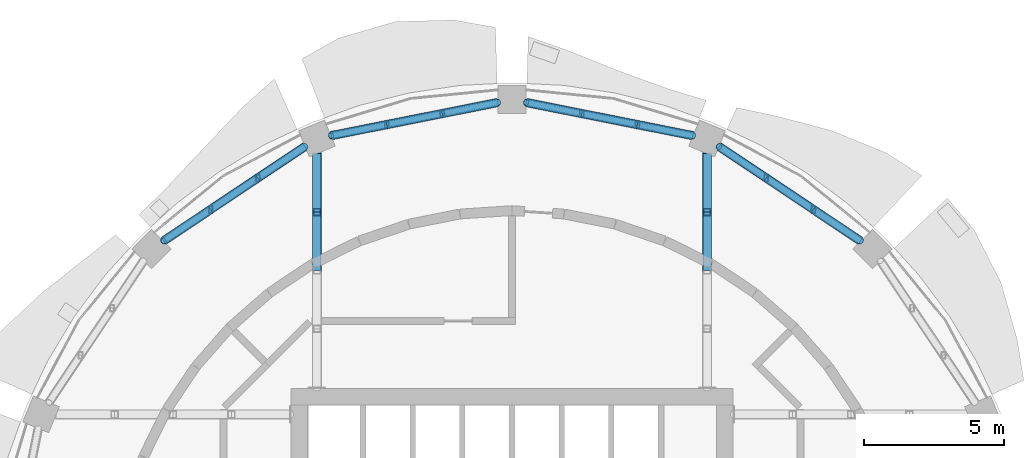
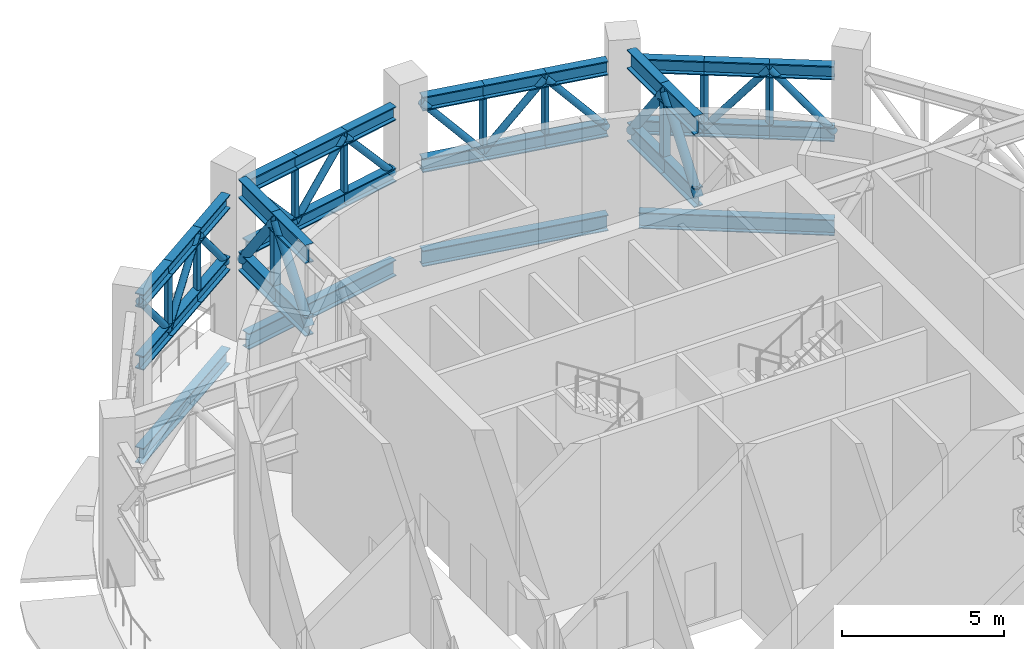
# One storey, part 6 of 14: 58 members, 4 beams.
"""IFC4 building model written with IfcOpenShell, lengths in metres."""

import ifcopenshell
import ifcopenshell.guid

model = None  # the IFC model being written
_history = None  # IfcOwnerHistory: only IFC2X3 demands one
_inside = {}  # id of a spatial element -> (the spatial element, [elements in it])
_under = {}  # id of a project, library or spatial element -> (it, [spatial elements below it])
_declared = {}  # id of a project -> (the project, [libraries it declares])
_typed = {}  # id of a type object -> (the type object, [elements of that type])
_made_of = {}  # id of a material, layer set ... -> (it, [elements and type objects made of it])


def new_model(schema):
    """Start an empty IFC model of exactly this schema.

    Asked for "IFC4X3", IfcOpenShell would pick the latest addendum, in which some entities
    have other attributes; the version numbers below select the first issue.
    IFC2X3 requires an IfcOwnerHistory on every rooted entity: one is made here for all.
    """
    global model, _history
    if schema == "IFC4X3":
        model = ifcopenshell.file(schema_version=(4, 3, 0, 0))
    else:
        model = ifcopenshell.file(schema=schema)
    _inside.clear()
    _under.clear()
    _declared.clear()
    _typed.clear()
    _made_of.clear()
    _history = None
    if model.schema == "IFC2X3":
        org = make("IfcOrganization", Name="unknown")
        user = make(
            "IfcPersonAndOrganization",
            ThePerson=make("IfcPerson", FamilyName="unknown"),
            TheOrganization=org,
        )
        app = make(
            "IfcApplication",
            ApplicationDeveloper=org,
            Version="unknown",
            ApplicationFullName="unknown",
            ApplicationIdentifier="unknown",
        )
        _history = make(
            "IfcOwnerHistory",
            OwningUser=user,
            OwningApplication=app,
            ChangeAction="ADDED",
            CreationDate=0,
        )
    return model


def make(cls, **values):
    """One entity of the class cls with the attributes given. An attribute that is None is left unset."""
    return model.create_entity(
        cls, **{name: value for name, value in values.items() if value is not None}
    )


def rooted(cls, **values):
    """An entity with a GlobalId (a new one), such as an element, a storey or a relation."""
    return make(cls, GlobalId=ifcopenshell.guid.new(), OwnerHistory=_history, **values)


def si_unit(unit_type, name, prefix=None):
    """IfcSIUnit, for example si_unit("LENGTHUNIT", "METRE", prefix="MILLI")."""
    return make("IfcSIUnit", UnitType=unit_type, Prefix=prefix, Name=name)


def assignment(units):
    """IfcUnitAssignment: the units of a project."""
    return None if units is None else make("IfcUnitAssignment", Units=units)


def point(xyz):
    """IfcCartesianPoint."""
    return None if xyz is None else make("IfcCartesianPoint", Coordinates=xyz)


def direction(xyz):
    """IfcDirection."""
    return None if xyz is None else make("IfcDirection", DirectionRatios=xyz)


def frame(location, z_axis=None, x_axis=None):
    """IfcAxis2Placement3D, a coordinate frame: its origin and axes. An axis left out is left unset."""
    return make(
        "IfcAxis2Placement3D",
        Location=point(location),
        Axis=direction(z_axis),
        RefDirection=direction(x_axis),
    )


def frame_2d(location, x_axis=None):
    """IfcAxis2Placement2D, a coordinate frame in the plane: its origin and x axis."""
    return make(
        "IfcAxis2Placement2D", Location=point(location), RefDirection=direction(x_axis)
    )


def origin():
    """The frame at (0, 0, 0) with its axes left unset."""
    return frame((0.0, 0.0, 0.0))


def origin_2d():
    """The frame at (0, 0) in the plane with its x axis left unset."""
    return frame_2d((0.0, 0.0))


def place(relative_to, where):
    """IfcLocalPlacement: puts the frame where relative to a parent placement (None: the world)."""
    return make(
        "IfcLocalPlacement", PlacementRelTo=relative_to, RelativePlacement=where
    )


def context(
    kind, dimensions, precision=None, world=None, true_north=None, identifier=None
):
    """IfcGeometricRepresentationContext, for example the 3D "Model" context."""
    return make(
        "IfcGeometricRepresentationContext",
        ContextIdentifier=identifier,
        ContextType=kind,
        CoordinateSpaceDimension=dimensions,
        Precision=precision,
        WorldCoordinateSystem=world,
        TrueNorth=true_north,
    )


def subcontext(parent, identifier, kind, view, scale=None):
    """IfcGeometricRepresentationSubContext, for example "Body" below "Model"."""
    return make(
        "IfcGeometricRepresentationSubContext",
        ContextIdentifier=identifier,
        ContextType=kind,
        ParentContext=parent,
        TargetScale=scale,
        TargetView=view,
    )


def project(units=None, contexts=None):
    """IfcProject with its units and contexts."""
    return rooted(
        "IfcProject",
        Name="project",
        RepresentationContexts=contexts,
        UnitsInContext=assignment(units),
    )


def spatial(cls, under=None, at=None, **own):
    """A site, building, storey or space (cls), placed at a placement, below another one or the project."""
    s = rooted(cls, ObjectPlacement=at, **own)
    if under is not None:
        _under.setdefault(under.id(), (under, []))[1].append(s)
    return s


def profile(cls, at=None, kind="AREA", **sizes):
    """A parametric profile (cls). Its sizes go by their IFC names, for example OverallWidth=200.0."""
    return make(cls, ProfileType=kind, Position=at, **sizes)


def hollow_rectangle(**sizes):
    """IfcRectangleHollowProfileDef."""
    return profile("IfcRectangleHollowProfileDef", **sizes)


def hollow_circle(**sizes):
    """IfcCircleHollowProfileDef."""
    return profile("IfcCircleHollowProfileDef", **sizes)


def i_section(**sizes):
    """IfcIShapeProfileDef."""
    return profile("IfcIShapeProfileDef", **sizes)


def extrude(swept, where, along, depth):
    """IfcExtrudedAreaSolid: the profile swept, set in the frame where, extruded along a direction by depth."""
    return make(
        "IfcExtrudedAreaSolid",
        SweptArea=swept,
        Position=where,
        ExtrudedDirection=direction(along),
        Depth=depth,
    )


def shape(context_of_items, identifier, shape_type, items):
    """IfcShapeRepresentation: the items that make up one representation, for example the "Body"."""
    return make(
        "IfcShapeRepresentation",
        ContextOfItems=context_of_items,
        RepresentationIdentifier=identifier,
        RepresentationType=shape_type,
        Items=items,
    )


def material(Name=None, Category=None):
    """IfcMaterial."""
    return make("IfcMaterial", Name=Name, Category=Category)


def material_profile(
    of_material, cross_section, Name=None, Category=None, Priority=None
):
    """IfcMaterialProfile: a cross section and its material."""
    return make(
        "IfcMaterialProfile",
        Name=Name,
        Material=of_material,
        Profile=cross_section,
        Priority=Priority,
        Category=Category,
    )


def profile_set(profiles, Name=None, composite=None):
    """IfcMaterialProfileSet."""
    return make(
        "IfcMaterialProfileSet",
        Name=Name,
        MaterialProfiles=profiles,
        CompositeProfile=composite,
    )


def made_of(thing, what):
    """Note that an element or type object is made of a material, layer set ...; save() writes the relation."""
    if what is not None:
        _made_of.setdefault(what.id(), (what, []))[1].append(thing)
    return thing


def type_object(cls, material=None, **own):
    """A type object (cls), such as IfcWallType, which elements share."""
    return made_of(rooted(cls, **own), material)


def element(
    cls,
    number,
    at=None,
    inside=None,
    cuts=None,
    type_object=None,
    material=None,
    context=None,
    identifier="Body",
    shape_type=None,
    held_by="IfcProductDefinitionShape",
    body=None,
    shapes=None,
    **own,
):
    """One element of the class cls, such as IfcWall. Its Tag is "e" and its number.

    at: its placement. inside: the storey or other place that contains it. cuts: it is an
    opening in that element (IfcRelVoidsElement). A single representation is given by context,
    identifier, shape_type and body (its items); several are given by shapes. held_by: the class
    of the entity that holds the representations. save() writes the other relations.
    """
    e = rooted(cls, Tag="e%d" % number, ObjectPlacement=at, **own)
    if body is not None:
        shapes = [shape(context, identifier, shape_type, body)]
    if shapes is not None:
        e.Representation = make(held_by, Representations=shapes)
    if inside is not None:
        _inside.setdefault(inside.id(), (inside, []))[1].append(e)
    if cuts is not None:
        rooted(
            "IfcRelVoidsElement", RelatingBuildingElement=cuts, RelatedOpeningElement=e
        )
    if type_object is not None:
        _typed.setdefault(type_object.id(), (type_object, []))[1].append(e)
    return made_of(e, material)


def aggregate(whole, parts):
    """IfcRelAggregates: a whole, such as a stair, and the parts it consists of."""
    return rooted("IfcRelAggregates", RelatingObject=whole, RelatedObjects=parts)


def save(model, path):
    """Write the relations noted so far, then the file.

    IfcRelAggregates (storeys below a building ...), IfcRelContainedInSpatialStructure (elements
    in a storey), IfcRelDefinesByType, IfcRelAssociatesMaterial and IfcRelDeclares: one each for
    every whole, place, type object, material and project.
    """
    for whole, parts in _under.values():
        aggregate(whole, parts)
    for where, things in _inside.values():
        rooted(
            "IfcRelContainedInSpatialStructure",
            RelatedElements=things,
            RelatingStructure=where,
        )
    for kind, things in _typed.values():
        rooted("IfcRelDefinesByType", RelatedObjects=things, RelatingType=kind)
    for what, things in _made_of.values():
        rooted("IfcRelAssociatesMaterial", RelatedObjects=things, RelatingMaterial=what)
    for by, libraries in _declared.values():
        rooted("IfcRelDeclares", RelatingContext=by, RelatedDefinitions=libraries)
    model.write(path)


model = new_model("IFC4")

# Units and contexts
model_context = context("Model", 3, precision=1e-05, world=origin(), true_north=direction((0.0, 1.0)))
body_context = subcontext(model_context, "Body", "Model", "MODEL_VIEW")
ifc_project = project(units=[si_unit("LENGTHUNIT", "METRE"), si_unit("AREAUNIT", "SQUARE_METRE"), si_unit("VOLUMEUNIT", "CUBIC_METRE"), si_unit("PLANEANGLEUNIT", "RADIAN"), si_unit("MASSUNIT", "GRAM", prefix="KILO")], contexts=[model_context])

# Site, building, storey
site_placement = place(None, origin())
site = spatial("IfcSite", under=ifc_project, at=site_placement, CompositionType="ELEMENT")
building_placement = place(site_placement, origin())
building = spatial("IfcBuilding", under=site, at=building_placement, Name="Polderwave Tower", CompositionType="ELEMENT")
storey_placement = place(building_placement, frame((0.0, 0.0, 161.14990234375)))
storey = spatial("IfcBuildingStorey", under=building, at=storey_placement, Name="L43", CompositionType="ELEMENT", Elevation=161.14990234375)

# Members
ifc_material_1 = material(Name="Steel S460", Category="steel")
ifc_material_profile_1 = material_profile(ifc_material_1, i_section(OverallWidth=0.305908203125, OverallDepth=0.52392578125, WebThickness=0.02099609375, FlangeThickness=0.0400390625, at=origin_2d()), Name="HE 500 M")
ifc_profile_set_1 = profile_set([ifc_material_profile_1], Name="Steel S460")
member_type_1 = type_object("IfcMemberType", Name="BELT CHORD HE 500 M", PredefinedType="CHORD", material=ifc_profile_set_1)
for number, where, z_axis, x_axis, name in (
    (1, (12.41015625, 13.1171875, 5.18798828125), (-0.83143642636, 0.555619896081, 0.0), (-0.555619896081, -0.83143642636, 0.0), "ST-BT-L43-02-TC1"),
    (2, (12.41015625, 13.1171875, 2.862060546875), (-0.83143642636, 0.555619896081, 0.0), (-0.555619896081, -0.83143642636, 0.0), "ST-BT-L43-02-BC1"),
    (3, (10.72998046875, 14.239990234375, 5.18798828125), (-0.831492237093, 0.555536371135, 0.0), (-0.555536371135, -0.831492237093, 0.0), "ST-BT-L43-02-TC2"),
    (4, (10.72998046875, 14.239990234375, 2.862060546875), (-0.831492237093, 0.555536371135, 0.0), (-0.555536371135, -0.831492237093, 0.0), "ST-BT-L43-02-BC2"),
    (5, (9.0498046875, 15.362548828125, 5.18798828125), (-0.831492237093, 0.555536371135, 0.0), (-0.555536371135, -0.831492237093, 0.0), "ST-BT-L43-02-TC3"),
    (6, (9.0498046875, 15.362548828125, 2.862060546875), (-0.831492237093, 0.555536371135, 0.0), (-0.555536371135, -0.831492237093, 0.0), "ST-BT-L43-02-BC3"),
    (7, (6.44580078125, 16.867919921875, 5.18798828125), (-0.980779976955, 0.195116982358, 0.0), (-0.195116982358, -0.980779976955, 0.0), "ST-BT-L43-03-TC1"),
    (8, (6.44580078125, 16.867919921875, 2.862060546875), (-0.980779976955, 0.195116982358, 0.0), (-0.195116982358, -0.980779976955, 0.0), "ST-BT-L43-03-BC1"),
    (9, (4.4638671875, 17.26220703125, 5.18798828125), (-0.980803090687, 0.195000762302, 0.0), (-0.195000762302, -0.980803090687, 0.0), "ST-BT-L43-03-TC2"),
    (10, (4.4638671875, 17.26220703125, 2.862060546875), (-0.980803090687, 0.195000762302, 0.0), (-0.195000762302, -0.980803090687, 0.0), "ST-BT-L43-03-BC2"),
    (11, (2.48193359375, 17.65625, 5.18798828125), (-0.980779976955, 0.195116982358, 0.0), (-0.195116982358, -0.980779976955, 0.0), "ST-BT-L43-03-TC3"),
    (12, (2.48193359375, 17.65625, 2.862060546875), (-0.980779976955, 0.195116982358, 0.0), (-0.195116982358, -0.980779976955, 0.0), "ST-BT-L43-03-BC3"),
    (13, (-0.5, 18.050537109375, 5.18798828125), (-0.980779976955, -0.195116982358, 0.0), (0.195116982358, -0.980779976955, 0.0), "ST-BT-L43-04-TC1"),
    (14, (-0.5, 18.050537109375, 2.862060546875), (-0.980779976955, -0.195116982358, 0.0), (0.195116982358, -0.980779976955, 0.0), "ST-BT-L43-04-BC1"),
    (15, (-2.48193359375, 17.65625, 5.18798828125), (-0.980803090687, -0.195000762302, 0.0), (0.195000762302, -0.980803090687, 0.0), "ST-BT-L43-04-TC2"),
    (16, (-2.48193359375, 17.65625, 2.862060546875), (-0.980803090687, -0.195000762302, 0.0), (0.195000762302, -0.980803090687, 0.0), "ST-BT-L43-04-BC2"),
    (17, (-4.4638671875, 17.26220703125, 5.18798828125), (-0.980779976955, -0.195116982358, 0.0), (0.195116982358, -0.980779976955, 0.0), "ST-BT-L43-04-TC3"),
    (18, (-4.4638671875, 17.26220703125, 2.862060546875), (-0.980779976955, -0.195116982358, 0.0), (0.195116982358, -0.980779976955, 0.0), "ST-BT-L43-04-BC3"),
    (19, (-7.36962890625, 16.485107421875, 5.18798828125), (-0.831492237093, -0.555536371135, 0.0), (0.555536371135, -0.831492237093, 0.0), "ST-BT-L43-05-TC1"),
    (20, (-7.36962890625, 16.485107421875, 2.862060546875), (-0.831492237093, -0.555536371135, 0.0), (0.555536371135, -0.831492237093, 0.0), "ST-BT-L43-05-BC1"),
    (21, (-9.0498046875, 15.362548828125, 5.18798828125), (-0.831492237093, -0.555536371135, 0.0), (0.555536371135, -0.831492237093, 0.0), "ST-BT-L43-05-TC2"),
    (22, (-9.0498046875, 15.362548828125, 2.862060546875), (-0.831492237093, -0.555536371135, 0.0), (0.555536371135, -0.831492237093, 0.0), "ST-BT-L43-05-BC2"),
    (23, (-10.72998046875, 14.239990234375, 5.18798828125), (-0.83143642636, -0.555619896081, 0.0), (0.555619896081, -0.83143642636, 0.0), "ST-BT-L43-05-TC3"),
    (24, (-10.72998046875, 14.239990234375, 2.862060546875), (-0.83143642636, -0.555619896081, 0.0), (0.555619896081, -0.83143642636, 0.0), "ST-BT-L43-05-BC3"),
):
    element("IfcMember", number, at=place(storey_placement, frame(where, z_axis=z_axis, x_axis=x_axis)), inside=storey, type_object=member_type_1, Name=name, PredefinedType="CHORD", context=body_context, shape_type="SweptSolid", body=[
        extrude(i_section(OverallWidth=0.305908203125, OverallDepth=0.52392578125, WebThickness=0.02099609375, FlangeThickness=0.0400390625, at=origin_2d()), origin(), (0.0, 0.0, 1.0), 2.020751953125),
    ])
ifc_material_profile_2 = material_profile(ifc_material_1, hollow_circle(Radius=0.122314453125, WallThickness=0.010009765625, at=origin_2d()), Name="CHS 244.5x10")
ifc_profile_set_2 = profile_set([ifc_material_profile_2], Name="Steel S460")
member_type_2 = type_object("IfcMemberType", Name="BELT DIAGONAL CHS 244.5x10", PredefinedType="BRACE", material=ifc_profile_set_2)
for number, where, z_axis, x_axis, name in (
    (25, (12.41015625, 13.1171875, 2.862060546875), (-0.545304245729, 0.364407763166, 0.754884270424), (-0.555619896081, -0.83143642636, 0.0), "ST-BT-L43-02-D1"),
    (26, (10.72998046875, 14.239990234375, 5.18798828125), (-0.545319989991, 0.364339045914, -0.754906065772), (-0.555536371135, -0.831492237093, 0.0), "ST-BT-L43-02-D2"),
    (27, (9.0498046875, 15.362548828125, 2.862060546875), (-0.545319989991, 0.364339045914, 0.754906065772), (-0.555536371135, -0.831492237093, 0.0), "ST-BT-L43-02-D3"),
    (28, (6.44580078125, 16.867919921875, 2.862060546875), (-0.643245519431, 0.127967666159, 0.754890374922), (-0.195116982358, -0.980779976955, 0.0), "ST-BT-L43-03-D1"),
    (29, (4.4638671875, 17.26220703125, 5.18798828125), (-0.64325203987, 0.127889725591, -0.754898027081), (-0.195000762302, -0.980803090687, 0.0), "ST-BT-L43-03-D2"),
    (30, (2.48193359375, 17.65625, 2.862060546875), (-0.643245519431, 0.127967666159, 0.754890374922), (-0.195116982358, -0.980779976955, 0.0), "ST-BT-L43-03-D3"),
    (31, (-0.5, 18.050537109375, 2.862060546875), (-0.643245519431, -0.127967666159, 0.754890374922), (0.195116982358, -0.980779976955, 0.0), "ST-BT-L43-04-D1"),
    (32, (-2.48193359375, 17.65625, 5.18798828125), (-0.64325203987, -0.127889725591, -0.754898027081), (0.195000762302, -0.980803090687, 0.0), "ST-BT-L43-04-D2"),
    (33, (-4.4638671875, 17.26220703125, 2.862060546875), (-0.643245519431, -0.127967666159, 0.754890374922), (0.195116982358, -0.980779976955, 0.0), "ST-BT-L43-04-D3"),
    (34, (-7.36962890625, 16.485107421875, 2.862060546875), (-0.545319989991, -0.364339045914, 0.754906065772), (0.555536371135, -0.831492237093, 0.0), "ST-BT-L43-05-D1"),
    (35, (-9.0498046875, 15.362548828125, 5.18798828125), (-0.545319989991, -0.364339045914, -0.754906065772), (0.555536371135, -0.831492237093, 0.0), "ST-BT-L43-05-D2"),
    (36, (-10.72998046875, 14.239990234375, 2.862060546875), (-0.545304245729, -0.364407763166, 0.754884270424), (0.555619896081, -0.83143642636, 0.0), "ST-BT-L43-05-D3"),
):
    element("IfcMember", number, at=place(storey_placement, frame(where, z_axis=z_axis, x_axis=x_axis)), inside=storey, type_object=member_type_2, Name=name, PredefinedType="BRACE", context=body_context, shape_type="SweptSolid", body=[
        extrude(hollow_circle(Radius=0.122314453125, WallThickness=0.010009765625, at=origin_2d()), origin(), (0.0, 0.0, 1.0), 3.0810546875),
    ])
ifc_material_profile_3 = material_profile(ifc_material_1, hollow_rectangle(XDim=0.14990234375, YDim=0.25, WallThickness=0.010009765625, at=origin_2d()), Name="RHS 250x150x10")
ifc_profile_set_3 = profile_set([ifc_material_profile_3], Name="Steel S460")
member_type_3 = type_object("IfcMemberType", Name="BELT POST RHS 250x150x10", PredefinedType="POST", material=ifc_profile_set_3)
for number, where, z_axis, x_axis, name in (
    (37, (10.72998046875, 14.239990234375, 3.1240234375), (0.0, 0.0, 1.0), (1.0, 0.0, 0.0), "ST-BT-L43-02-P1"),
    (38, (9.0498046875, 15.362548828125, 3.1240234375), (0.0, 0.0, 1.0), (1.0, 0.0, 0.0), "ST-BT-L43-02-P2"),
    (39, (4.4638671875, 17.26220703125, 3.1240234375), (0.0, 0.0, 1.0), (1.0, 0.0, 0.0), "ST-BT-L43-03-P1"),
    (40, (2.48193359375, 17.65625, 3.1240234375), (0.0, 0.0, 1.0), (1.0, 0.0, 0.0), "ST-BT-L43-03-P2"),
    (41, (-2.48193359375, 17.65625, 3.1240234375), (0.0, 0.0, 1.0), (1.0, 0.0, 0.0), "ST-BT-L43-04-P1"),
    (42, (-4.4638671875, 17.26220703125, 3.1240234375), (0.0, 0.0, 1.0), (1.0, 0.0, 0.0), "ST-BT-L43-04-P2"),
    (43, (-9.0498046875, 15.362548828125, 3.1240234375), (0.0, 0.0, 1.0), (1.0, 0.0, 0.0), "ST-BT-L43-05-P1"),
    (44, (-10.72998046875, 14.239990234375, 3.1240234375), (0.0, 0.0, 1.0), (1.0, 0.0, 0.0), "ST-BT-L43-05-P2"),
):
    element("IfcMember", number, at=place(storey_placement, frame(where, z_axis=z_axis, x_axis=x_axis)), inside=storey, type_object=member_type_3, Name=name, PredefinedType="POST", context=body_context, shape_type="SweptSolid", body=[
        extrude(hollow_rectangle(XDim=0.14990234375, YDim=0.25, WallThickness=0.010009765625, at=origin_2d()), origin(), (0.0, 0.0, 1.0), 1.802001953125),
    ])
ifc_material_profile_4 = material_profile(ifc_material_1, i_section(OverallWidth=0.303955078125, OverallDepth=0.716064453125, WebThickness=0.02099609375, FlangeThickness=0.0400390625, at=origin_2d()), Name="HE 700 M")
ifc_profile_set_4 = profile_set([ifc_material_profile_4], Name="Steel S460")
member_type_4 = type_object("IfcMemberType", Name="OUTRIGGER CHORD HE 700 M", PredefinedType="CHORD", material=ifc_profile_set_4)
for number, where, z_axis, x_axis, name in (
    (45, (6.94580078125, 12.070556640625, 5.692138671875), (0.0, 1.0, 0.0), (-1.0, 0.0, 0.0), "ST-OR-L43-03-TC3"),
    (46, (6.94580078125, 12.070556640625, 2.9580078125), (0.0, 1.0, 0.0), (-1.0, 0.0, 0.0), "ST-OR-L43-03-BC3"),
    (47, (6.94580078125, 14.14892578125, 5.692138671875), (0.0, 1.0, 0.0), (-1.0, 0.0, 0.0), "ST-OR-L43-03-TC4"),
    (48, (6.94580078125, 14.14892578125, 2.9580078125), (0.0, 1.0, 0.0), (-1.0, 0.0, 0.0), "ST-OR-L43-03-BC4"),
    (49, (-6.94580078125, 12.070556640625, 5.692138671875), (0.0, 1.0, 0.0), (-1.0, 0.0, 0.0), "ST-OR-L43-05-TC3"),
    (50, (-6.94580078125, 12.070556640625, 2.9580078125), (0.0, 1.0, 0.0), (-1.0, 0.0, 0.0), "ST-OR-L43-05-BC3"),
    (51, (-6.94580078125, 14.14892578125, 5.692138671875), (0.0, 1.0, 0.0), (-1.0, 0.0, 0.0), "ST-OR-L43-05-TC4"),
    (52, (-6.94580078125, 14.14892578125, 2.9580078125), (0.0, 1.0, 0.0), (-1.0, 0.0, 0.0), "ST-OR-L43-05-BC4"),
):
    element("IfcMember", number, at=place(storey_placement, frame(where, z_axis=z_axis, x_axis=x_axis)), inside=storey, type_object=member_type_4, Name=name, PredefinedType="CHORD", context=body_context, shape_type="SweptSolid", body=[
        extrude(i_section(OverallWidth=0.303955078125, OverallDepth=0.716064453125, WebThickness=0.02099609375, FlangeThickness=0.0400390625, at=origin_2d()), origin(), (0.0, 0.0, 1.0), 2.078369140625),
    ])
ifc_material_profile_5 = material_profile(ifc_material_1, hollow_circle(Radius=0.161865234375, WallThickness=0.012451171875, at=origin_2d()), Name="CHS 323.9x12.5")
ifc_profile_set_5 = profile_set([ifc_material_profile_5], Name="Steel S460")
member_type_5 = type_object("IfcMemberType", Name="OUTRIGGER DIAGONAL CHS 323.9x12.5", PredefinedType="BRACE", material=ifc_profile_set_5)
for number, where, z_axis, x_axis, name in (
    (53, (6.94580078125, 12.070556640625, 2.9580078125), (0.0, 0.605162570376, 0.796101917731), (-1.0, 0.0, 0.0), "ST-OR-L43-03-D3"),
    (54, (6.94580078125, 14.14892578125, 5.692138671875), (0.0, 0.605162570376, -0.796101917731), (-1.0, 0.0, 0.0), "ST-OR-L43-03-D4"),
    (55, (-6.94580078125, 12.070556640625, 2.9580078125), (0.0, 0.605162570376, 0.796101917731), (-1.0, 0.0, 0.0), "ST-OR-L43-05-D3"),
    (56, (-6.94580078125, 14.14892578125, 5.692138671875), (0.0, 0.605162570376, -0.796101917731), (-1.0, 0.0, 0.0), "ST-OR-L43-05-D4"),
):
    element("IfcMember", number, at=place(storey_placement, frame(where, z_axis=z_axis, x_axis=x_axis)), inside=storey, type_object=member_type_5, Name=name, PredefinedType="BRACE", context=body_context, shape_type="SweptSolid", body=[
        extrude(hollow_circle(Radius=0.161865234375, WallThickness=0.012451171875, at=origin_2d()), origin(), (0.0, 0.0, 1.0), 3.434326171875),
    ])
ifc_material_profile_6 = material_profile(ifc_material_1, hollow_rectangle(XDim=0.25, YDim=0.25, WallThickness=0.012451171875, at=origin_2d()), Name="SHS 250x250x12.5")
ifc_profile_set_6 = profile_set([ifc_material_profile_6], Name="Steel S460")
member_type_6 = type_object("IfcMemberType", Name="OUTRIGGER POST SHS 250x250x12.5", PredefinedType="POST", material=ifc_profile_set_6)
for number, where, z_axis, x_axis, name in (
    (57, (6.94580078125, 14.14892578125, 3.316162109375), (0.0, 0.0, 1.0), (1.0, 0.0, 0.0), "ST-OR-L43-03-P3"),
    (58, (-6.94580078125, 14.14892578125, 3.316162109375), (0.0, 0.0, 1.0), (1.0, 0.0, 0.0), "ST-OR-L43-05-P3"),
):
    element("IfcMember", number, at=place(storey_placement, frame(where, z_axis=z_axis, x_axis=x_axis)), inside=storey, type_object=member_type_6, Name=name, PredefinedType="POST", context=body_context, shape_type="SweptSolid", body=[
        extrude(hollow_rectangle(XDim=0.25, YDim=0.25, WallThickness=0.012451171875, at=origin_2d()), origin(), (0.0, 0.0, 1.0), 2.017822265625),
    ])

# Beams
ifc_material_2 = material(Name="Steel S355", Category="steel")
ifc_material_profile_7 = material_profile(ifc_material_2, i_section(OverallWidth=0.300048828125, OverallDepth=0.60009765625, WebThickness=0.015380859375, FlangeThickness=0.030029296875, at=origin_2d()), Name="HE 600 B")
ifc_profile_set_7 = profile_set([ifc_material_profile_7], Name="Steel S355")
beam_type = type_object("IfcBeamType", Name="RING BEAM HE 600 B", PredefinedType="BEAM", material=ifc_profile_set_7)
for number, where, z_axis, x_axis, name in (
    (59, (12.41015625, 13.1171875, -0.64990234375), (-0.831473633615, 0.555564214653, 0.0), (-0.555564214653, -0.831473633615, 0.0), "ST-RB-L43-02"),
    (60, (6.44580078125, 16.867919921875, -0.64990234375), (-0.980787682941, 0.195078243252, 0.0), (-0.195078243252, -0.980787682941, 0.0), "ST-RB-L43-03"),
    (61, (-0.5, 18.050537109375, -0.64990234375), (-0.980787682941, -0.195078243252, 0.0), (0.195078243252, -0.980787682941, 0.0), "ST-RB-L43-04"),
    (62, (-7.36962890625, 16.485107421875, -0.64990234375), (-0.831473633615, -0.555564214653, 0.0), (0.555564214653, -0.831473633615, 0.0), "ST-RB-L43-05"),
):
    element("IfcBeam", number, at=place(storey_placement, frame(where, z_axis=z_axis, x_axis=x_axis)), inside=storey, type_object=beam_type, Name=name, PredefinedType="BEAM", context=body_context, shape_type="SweptSolid", body=[
        extrude(i_section(OverallWidth=0.300048828125, OverallDepth=0.60009765625, WebThickness=0.015380859375, FlangeThickness=0.030029296875, at=origin_2d()), origin(), (0.0, 0.0, 1.0), 6.062255859375),
    ])

save(model, "model.ifc")
